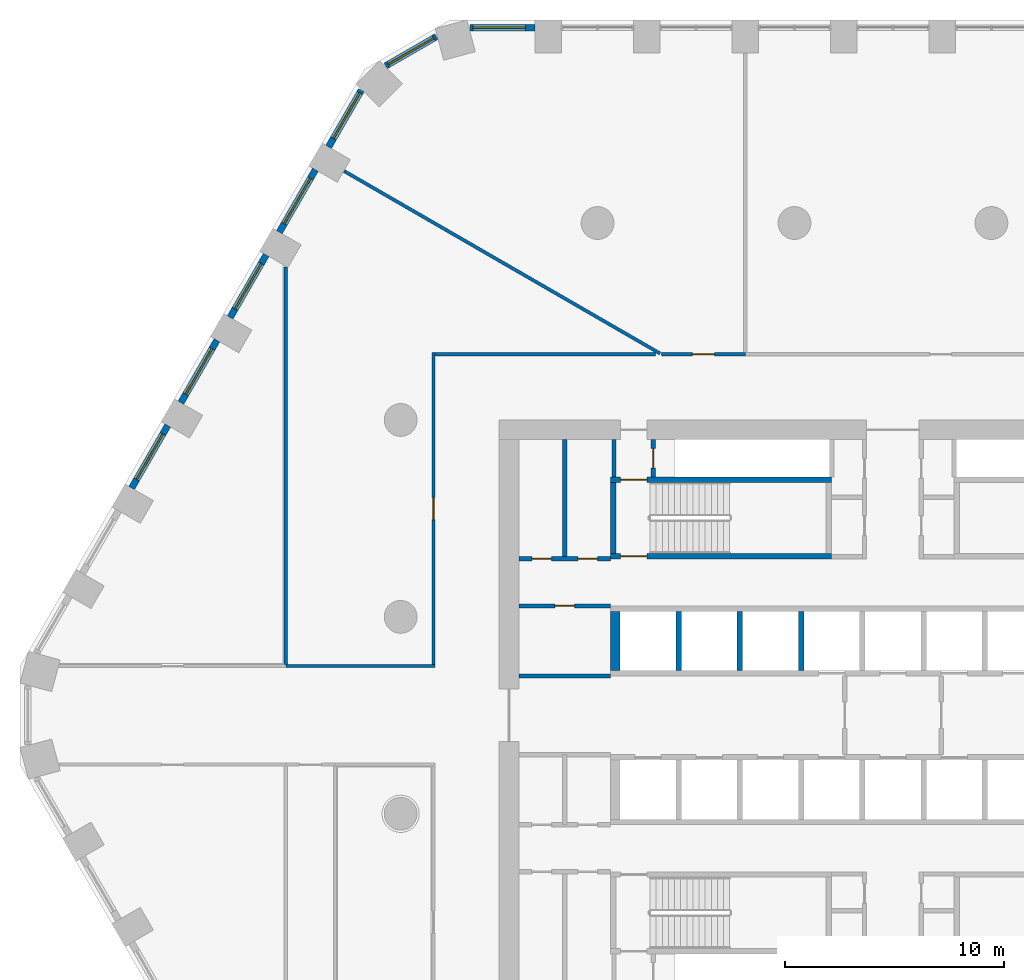
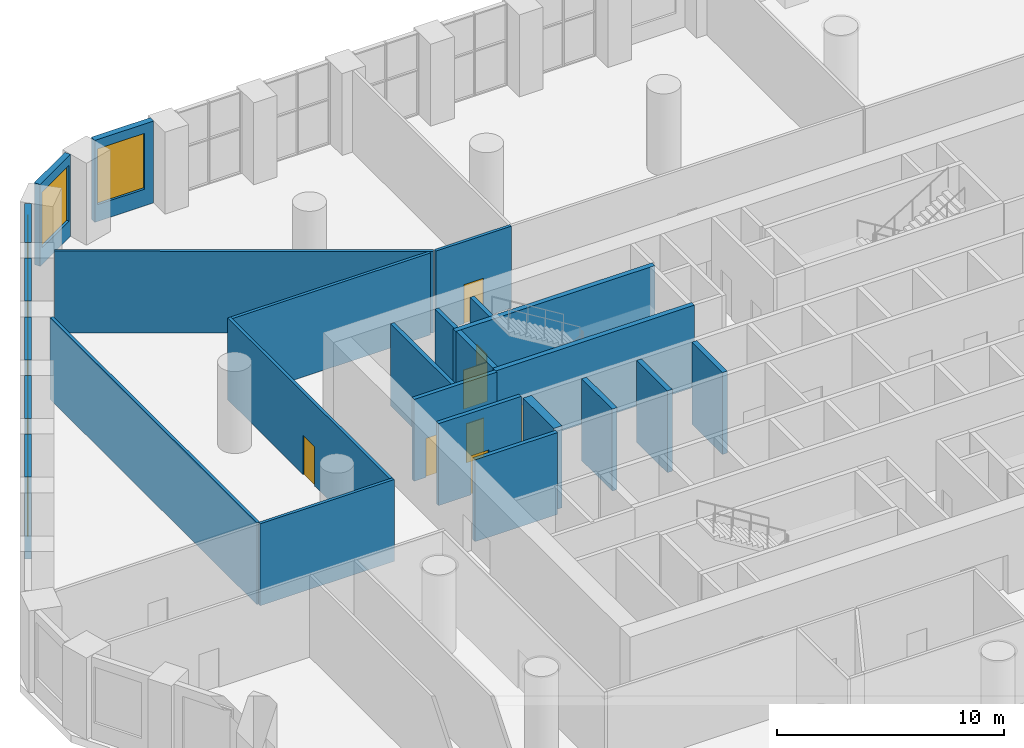
# One storey, part 10 of 21: 26 walls, 8 doors, 7 windows, 15 openings.
"""IFC4 building model written with IfcOpenShell, lengths in metres."""

import ifcopenshell
import ifcopenshell.guid

model = None  # the IFC model being written
_history = None  # IfcOwnerHistory: only IFC2X3 demands one
_inside = {}  # id of a spatial element -> (the spatial element, [elements in it])
_under = {}  # id of a project, library or spatial element -> (it, [spatial elements below it])
_declared = {}  # id of a project -> (the project, [libraries it declares])
_typed = {}  # id of a type object -> (the type object, [elements of that type])
_made_of = {}  # id of a material, layer set ... -> (it, [elements and type objects made of it])


def new_model(schema):
    """Start an empty IFC model of exactly this schema.

    Asked for "IFC4X3", IfcOpenShell would pick the latest addendum, in which some entities
    have other attributes; the version numbers below select the first issue.
    IFC2X3 requires an IfcOwnerHistory on every rooted entity: one is made here for all.
    """
    global model, _history
    if schema == "IFC4X3":
        model = ifcopenshell.file(schema_version=(4, 3, 0, 0))
    else:
        model = ifcopenshell.file(schema=schema)
    _inside.clear()
    _under.clear()
    _declared.clear()
    _typed.clear()
    _made_of.clear()
    _history = None
    if model.schema == "IFC2X3":
        org = make("IfcOrganization", Name="unknown")
        user = make(
            "IfcPersonAndOrganization",
            ThePerson=make("IfcPerson", FamilyName="unknown"),
            TheOrganization=org,
        )
        app = make(
            "IfcApplication",
            ApplicationDeveloper=org,
            Version="unknown",
            ApplicationFullName="unknown",
            ApplicationIdentifier="unknown",
        )
        _history = make(
            "IfcOwnerHistory",
            OwningUser=user,
            OwningApplication=app,
            ChangeAction="ADDED",
            CreationDate=0,
        )
    return model


def make(cls, **values):
    """One entity of the class cls with the attributes given. An attribute that is None is left unset."""
    return model.create_entity(
        cls, **{name: value for name, value in values.items() if value is not None}
    )


def rooted(cls, **values):
    """An entity with a GlobalId (a new one), such as an element, a storey or a relation."""
    return make(cls, GlobalId=ifcopenshell.guid.new(), OwnerHistory=_history, **values)


def si_unit(unit_type, name, prefix=None):
    """IfcSIUnit, for example si_unit("LENGTHUNIT", "METRE", prefix="MILLI")."""
    return make("IfcSIUnit", UnitType=unit_type, Prefix=prefix, Name=name)


def assignment(units):
    """IfcUnitAssignment: the units of a project."""
    return None if units is None else make("IfcUnitAssignment", Units=units)


def point(xyz):
    """IfcCartesianPoint."""
    return None if xyz is None else make("IfcCartesianPoint", Coordinates=xyz)


def direction(xyz):
    """IfcDirection."""
    return None if xyz is None else make("IfcDirection", DirectionRatios=xyz)


def frame(location, z_axis=None, x_axis=None):
    """IfcAxis2Placement3D, a coordinate frame: its origin and axes. An axis left out is left unset."""
    return make(
        "IfcAxis2Placement3D",
        Location=point(location),
        Axis=direction(z_axis),
        RefDirection=direction(x_axis),
    )


def frame_2d(location, x_axis=None):
    """IfcAxis2Placement2D, a coordinate frame in the plane: its origin and x axis."""
    return make(
        "IfcAxis2Placement2D", Location=point(location), RefDirection=direction(x_axis)
    )


def origin():
    """The frame at (0, 0, 0) with its axes left unset."""
    return frame((0.0, 0.0, 0.0))


def place(relative_to, where):
    """IfcLocalPlacement: puts the frame where relative to a parent placement (None: the world)."""
    return make(
        "IfcLocalPlacement", PlacementRelTo=relative_to, RelativePlacement=where
    )


def context(
    kind, dimensions, precision=None, world=None, true_north=None, identifier=None
):
    """IfcGeometricRepresentationContext, for example the 3D "Model" context."""
    return make(
        "IfcGeometricRepresentationContext",
        ContextIdentifier=identifier,
        ContextType=kind,
        CoordinateSpaceDimension=dimensions,
        Precision=precision,
        WorldCoordinateSystem=world,
        TrueNorth=true_north,
    )


def subcontext(parent, identifier, kind, view, scale=None):
    """IfcGeometricRepresentationSubContext, for example "Body" below "Model"."""
    return make(
        "IfcGeometricRepresentationSubContext",
        ContextIdentifier=identifier,
        ContextType=kind,
        ParentContext=parent,
        TargetScale=scale,
        TargetView=view,
    )


def project(units=None, contexts=None):
    """IfcProject with its units and contexts."""
    return rooted(
        "IfcProject",
        Name="project",
        RepresentationContexts=contexts,
        UnitsInContext=assignment(units),
    )


def spatial(cls, under=None, at=None, **own):
    """A site, building, storey or space (cls), placed at a placement, below another one or the project."""
    s = rooted(cls, ObjectPlacement=at, **own)
    if under is not None:
        _under.setdefault(under.id(), (under, []))[1].append(s)
    return s


def polyline(points):
    """IfcPolyline through the points."""
    return make("IfcPolyline", Points=[point(p) for p in points])


def profile(cls, at=None, kind="AREA", **sizes):
    """A parametric profile (cls). Its sizes go by their IFC names, for example OverallWidth=200.0."""
    return make(cls, ProfileType=kind, Position=at, **sizes)


def rectangle(**sizes):
    """IfcRectangleProfileDef."""
    return profile("IfcRectangleProfileDef", **sizes)


def outline(outer, holes=None, kind="AREA"):
    """IfcArbitraryClosedProfileDef: a profile drawn as a closed curve; with holes, ...WithVoids."""
    if holes is None:
        return make("IfcArbitraryClosedProfileDef", ProfileType=kind, OuterCurve=outer)
    return make(
        "IfcArbitraryProfileDefWithVoids",
        ProfileType=kind,
        OuterCurve=outer,
        InnerCurves=holes,
    )


def extrude(swept, where, along, depth):
    """IfcExtrudedAreaSolid: the profile swept, set in the frame where, extruded along a direction by depth."""
    return make(
        "IfcExtrudedAreaSolid",
        SweptArea=swept,
        Position=where,
        ExtrudedDirection=direction(along),
        Depth=depth,
    )


def shape(context_of_items, identifier, shape_type, items):
    """IfcShapeRepresentation: the items that make up one representation, for example the "Body"."""
    return make(
        "IfcShapeRepresentation",
        ContextOfItems=context_of_items,
        RepresentationIdentifier=identifier,
        RepresentationType=shape_type,
        Items=items,
    )


def material(Name=None, Category=None):
    """IfcMaterial."""
    return make("IfcMaterial", Name=Name, Category=Category)


def layer(
    of_material, thickness, ventilated=None, Name=None, Category=None, Priority=None
):
    """IfcMaterialLayer: one layer of a wall or slab, of a material (None: an air gap)."""
    return make(
        "IfcMaterialLayer",
        Material=of_material,
        LayerThickness=thickness,
        IsVentilated=ventilated,
        Name=Name,
        Category=Category,
        Priority=Priority,
    )


def layer_set(layers, Name=None):
    """IfcMaterialLayerSet."""
    return make("IfcMaterialLayerSet", MaterialLayers=layers, LayerSetName=Name)


def made_of(thing, what):
    """Note that an element or type object is made of a material, layer set ...; save() writes the relation."""
    if what is not None:
        _made_of.setdefault(what.id(), (what, []))[1].append(thing)
    return thing


def type_object(cls, material=None, **own):
    """A type object (cls), such as IfcWallType, which elements share."""
    return made_of(rooted(cls, **own), material)


def element(
    cls,
    number,
    at=None,
    inside=None,
    cuts=None,
    type_object=None,
    material=None,
    context=None,
    identifier="Body",
    shape_type=None,
    held_by="IfcProductDefinitionShape",
    body=None,
    shapes=None,
    **own,
):
    """One element of the class cls, such as IfcWall. Its Tag is "e" and its number.

    at: its placement. inside: the storey or other place that contains it. cuts: it is an
    opening in that element (IfcRelVoidsElement). A single representation is given by context,
    identifier, shape_type and body (its items); several are given by shapes. held_by: the class
    of the entity that holds the representations. save() writes the other relations.
    """
    e = rooted(cls, Tag="e%d" % number, ObjectPlacement=at, **own)
    if body is not None:
        shapes = [shape(context, identifier, shape_type, body)]
    if shapes is not None:
        e.Representation = make(held_by, Representations=shapes)
    if inside is not None:
        _inside.setdefault(inside.id(), (inside, []))[1].append(e)
    if cuts is not None:
        rooted(
            "IfcRelVoidsElement", RelatingBuildingElement=cuts, RelatedOpeningElement=e
        )
    if type_object is not None:
        _typed.setdefault(type_object.id(), (type_object, []))[1].append(e)
    return made_of(e, material)


def fill(opening, filler):
    """IfcRelFillsElement: the door or window that sits in an opening."""
    return rooted(
        "IfcRelFillsElement",
        RelatingOpeningElement=opening,
        RelatedBuildingElement=filler,
    )


def aggregate(whole, parts):
    """IfcRelAggregates: a whole, such as a stair, and the parts it consists of."""
    return rooted("IfcRelAggregates", RelatingObject=whole, RelatedObjects=parts)


def save(model, path):
    """Write the relations noted so far, then the file.

    IfcRelAggregates (storeys below a building ...), IfcRelContainedInSpatialStructure (elements
    in a storey), IfcRelDefinesByType, IfcRelAssociatesMaterial and IfcRelDeclares: one each for
    every whole, place, type object, material and project.
    """
    for whole, parts in _under.values():
        aggregate(whole, parts)
    for where, things in _inside.values():
        rooted(
            "IfcRelContainedInSpatialStructure",
            RelatedElements=things,
            RelatingStructure=where,
        )
    for kind, things in _typed.values():
        rooted("IfcRelDefinesByType", RelatedObjects=things, RelatingType=kind)
    for what, things in _made_of.values():
        rooted("IfcRelAssociatesMaterial", RelatedObjects=things, RelatingMaterial=what)
    for by, libraries in _declared.values():
        rooted("IfcRelDeclares", RelatingContext=by, RelatedDefinitions=libraries)
    model.write(path)


model = new_model("IFC4")

# Units and contexts
model_context = context("Model", 3, precision=1e-05, world=origin(), true_north=direction((0.0, 1.0)))
body_context = subcontext(model_context, "Body", "Model", "MODEL_VIEW")
ifc_project = project(units=[si_unit("LENGTHUNIT", "METRE"), si_unit("AREAUNIT", "SQUARE_METRE"), si_unit("VOLUMEUNIT", "CUBIC_METRE"), si_unit("PLANEANGLEUNIT", "RADIAN"), si_unit("MASSUNIT", "GRAM", prefix="KILO")], contexts=[model_context])

# Site, building, storey
site_placement = place(None, origin())
site = spatial("IfcSite", under=ifc_project, at=site_placement, CompositionType="ELEMENT")
building_placement = place(site_placement, origin())
building = spatial("IfcBuilding", under=site, at=building_placement, Name="Dhurran Vertical Campus", CompositionType="ELEMENT")
storey_placement = place(building_placement, frame((0.0, 0.0, 20.39990234375)))
storey = spatial("IfcBuildingStorey", under=building, at=storey_placement, Name="L04", CompositionType="ELEMENT", Elevation=20.39990234375)

# Wall, opening, window
ifc_material_1 = material(Name="Precast concrete C50/60", Category="concrete")
ifc_layer_1 = layer(ifc_material_1, 0.300048828125)
ifc_layer_set_1 = layer_set([ifc_layer_1], Name="Precast concrete C50/60")
wall_type_1 = type_object("IfcWallType", Name="Precast spandrel wall 300", PredefinedType="SOLIDWALL", material=ifc_layer_set_1)
wall_1_placement = place(storey_placement, frame((-16.3505859375, 31.4296875, 0.0), z_axis=(0.0, 0.0, 1.0), x_axis=(-1.0, 0.0, 0.0)))
wall_1 = element("IfcWall", 1, at=wall_1_placement, inside=storey, type_object=wall_type_1, Name="EW1 L04.34", PredefinedType="SOLIDWALL", context=body_context, shape_type="SweptSolid", body=[
    extrude(rectangle(XDim=2.98876953125, YDim=0.300048828125, at=frame_2d((1.494384765625, 0.0))), origin(), (0.0, 0.0, 1.0), 4.400146484375),
])
opening_1_placement = place(wall_1_placement, frame((0.449462890625, 0.0, 0.89990234375)))
opening_1 = element("IfcOpeningElement", 2, at=opening_1_placement, cuts=wall_1, Name="Opening WT2", PredefinedType="OPENING", context=body_context, shape_type="SweptSolid", body=[
    extrude(rectangle(XDim=2.39990234375, YDim=3.0, at=frame_2d((1.199951171875, 1.5))), frame((0.0, 0.159912109375, 0.0), z_axis=(0.0, -1.0, 0.0), x_axis=(1.0, 0.0, 0.0)), (0.0, 0.0, 1.0), 0.320068359375),
])
ifc_material_2 = material(Name="Aluminium frame with solar-control glass", Category="aluminium")
window_type = type_object("IfcWindowType", Name="Podium window 2400 x 3000", PartitioningType="SINGLE_PANEL", PredefinedType="WINDOW", material=ifc_material_2)
window_1_placement = place(opening_1_placement, origin())
window_1 = element("IfcWindow", 3, at=window_1_placement, inside=storey, type_object=window_type, Name="WT2 L04.34", OverallHeight=3.0, OverallWidth=2.39990234375, PartitioningType="SINGLE_PANEL", PredefinedType="WINDOW", context=body_context, shape_type="SweptSolid", body=[
    extrude(rectangle(XDim=2.39990234375, YDim=3.0, at=frame_2d((1.199951171875, 1.5))), frame((0.0, 0.030029296875, 0.0), z_axis=(0.0, -1.0, 0.0), x_axis=(1.0, 0.0, 0.0)), (0.0, 0.0, 1.0), 0.06005859375),
])
fill(opening_1, window_1)

wall_2_placement = place(storey_placement, frame((-20.86376953125, 31.021240234375, 0.0), z_axis=(0.0, 0.0, 1.0), x_axis=(-0.866001915448, -0.500040680786, 0.0)))
wall_2 = element("IfcWall", 4, at=wall_2_placement, inside=storey, type_object=wall_type_1, Name="EW1 L04.35", PredefinedType="SOLIDWALL", context=body_context, shape_type="SweptSolid", body=[
    extrude(rectangle(XDim=2.678466796875, YDim=0.300048828125, at=frame_2d((1.33935546875, 0.0))), origin(), (0.0, 0.0, 1.0), 4.400146484375),
])
opening_2_placement = place(wall_2_placement, frame((0.139404296875, 0.0, 0.89990234375)))
opening_2 = element("IfcOpeningElement", 5, at=opening_2_placement, cuts=wall_2, Name="Opening WT2", PredefinedType="OPENING", context=body_context, shape_type="SweptSolid", body=[
    extrude(rectangle(XDim=2.39990234375, YDim=3.0, at=frame_2d((1.199951171875, 1.5))), frame((0.0, 0.159912109375, 0.0), z_axis=(0.0, -1.0, 0.0), x_axis=(1.0, 0.0, 0.0)), (0.0, 0.0, 1.0), 0.320068359375),
])
window_2_placement = place(opening_2_placement, origin())
window_2 = element("IfcWindow", 6, at=window_2_placement, inside=storey, type_object=window_type, Name="WT2 L04.35", OverallHeight=3.0, OverallWidth=2.39990234375, PartitioningType="SINGLE_PANEL", PredefinedType="WINDOW", context=body_context, shape_type="SweptSolid", body=[
    extrude(rectangle(XDim=2.39990234375, YDim=3.0, at=frame_2d((1.199951171875, 1.5))), frame((0.0, 0.030029296875, 0.0), z_axis=(0.0, -1.0, 0.0), x_axis=(1.0, 0.0, 0.0)), (0.0, 0.0, 1.0), 0.06005859375),
])
fill(opening_2, window_2)

wall_3_placement = place(storey_placement, frame((-24.29931640625, 28.566162109375, 0.0), z_axis=(0.0, 0.0, 1.0), x_axis=(-0.49999586137, -0.866027793211, 0.0)))
wall_3 = element("IfcWall", 7, at=wall_3_placement, inside=storey, type_object=wall_type_1, Name="EW1 L04.36", PredefinedType="SOLIDWALL", context=body_context, shape_type="SweptSolid", body=[
    extrude(rectangle(XDim=2.98876953125, YDim=0.300048828125, at=frame_2d((1.494384765625, 0.0))), origin(), (0.0, 0.0, 1.0), 4.400146484375),
])
opening_3_placement = place(wall_3_placement, frame((0.139404296875, 0.0, 0.89990234375)))
opening_3 = element("IfcOpeningElement", 8, at=opening_3_placement, cuts=wall_3, Name="Opening WT2", PredefinedType="OPENING", context=body_context, shape_type="SweptSolid", body=[
    extrude(rectangle(XDim=2.39990234375, YDim=3.0, at=frame_2d((1.199951171875, 1.5))), frame((0.0, 0.159912109375, 0.0), z_axis=(0.0, -1.0, 0.0), x_axis=(1.0, 0.0, 0.0)), (0.0, 0.0, 1.0), 0.320068359375),
])
window_3_placement = place(opening_3_placement, origin())
window_3 = element("IfcWindow", 9, at=window_3_placement, inside=storey, type_object=window_type, Name="WT2 L04.36", OverallHeight=3.0, OverallWidth=2.39990234375, PartitioningType="SINGLE_PANEL", PredefinedType="WINDOW", context=body_context, shape_type="SweptSolid", body=[
    extrude(rectangle(XDim=2.39990234375, YDim=3.0, at=frame_2d((1.199951171875, 1.5))), frame((0.0, 0.030029296875, 0.0), z_axis=(0.0, -1.0, 0.0), x_axis=(1.0, 0.0, 0.0)), (0.0, 0.0, 1.0), 0.06005859375),
])
fill(opening_3, window_3)

wall_4_placement = place(storey_placement, frame((-26.394287109375, 24.9375, 0.0), z_axis=(0.0, 0.0, 1.0), x_axis=(-0.499991515992, -0.866030301974, 0.0)))
wall_4 = element("IfcWall", 10, at=wall_4_placement, inside=storey, type_object=wall_type_1, Name="EW1 L04.37", PredefinedType="SOLIDWALL", context=body_context, shape_type="SweptSolid", body=[
    extrude(rectangle(XDim=3.298828125, YDim=0.300048828125, at=frame_2d((1.6494140625, 0.0))), origin(), (0.0, 0.0, 1.0), 4.400146484375),
])
opening_4_placement = place(wall_4_placement, frame((0.449462890625, 0.0, 0.89990234375)))
opening_4 = element("IfcOpeningElement", 11, at=opening_4_placement, cuts=wall_4, Name="Opening WT2", PredefinedType="OPENING", context=body_context, shape_type="SweptSolid", body=[
    extrude(rectangle(XDim=2.39990234375, YDim=3.0, at=frame_2d((1.199951171875, 1.5))), frame((0.0, 0.159912109375, 0.0), z_axis=(0.0, -1.0, 0.0), x_axis=(1.0, 0.0, 0.0)), (0.0, 0.0, 1.0), 0.320068359375),
])
window_4_placement = place(opening_4_placement, origin())
window_4 = element("IfcWindow", 12, at=window_4_placement, inside=storey, type_object=window_type, Name="WT2 L04.37", OverallHeight=3.0, OverallWidth=2.39990234375, PartitioningType="SINGLE_PANEL", PredefinedType="WINDOW", context=body_context, shape_type="SweptSolid", body=[
    extrude(rectangle(XDim=2.39990234375, YDim=3.0, at=frame_2d((1.199951171875, 1.5))), frame((0.0, 0.030029296875, 0.0), z_axis=(0.0, -1.0, 0.0), x_axis=(1.0, 0.0, 0.0)), (0.0, 0.0, 1.0), 0.06005859375),
])
fill(opening_4, window_4)

wall_5_placement = place(storey_placement, frame((-28.644287109375, 21.04052734375, 0.0), z_axis=(0.0, 0.0, 1.0), x_axis=(-0.499991515992, -0.866030301974, 0.0)))
wall_5 = element("IfcWall", 13, at=wall_5_placement, inside=storey, type_object=wall_type_1, Name="EW1 L04.38", PredefinedType="SOLIDWALL", context=body_context, shape_type="SweptSolid", body=[
    extrude(rectangle(XDim=3.298828125, YDim=0.300048828125, at=frame_2d((1.6494140625, 0.0))), origin(), (0.0, 0.0, 1.0), 4.400146484375),
])
opening_5_placement = place(wall_5_placement, frame((0.449462890625, 0.0, 0.89990234375)))
opening_5 = element("IfcOpeningElement", 14, at=opening_5_placement, cuts=wall_5, Name="Opening WT2", PredefinedType="OPENING", context=body_context, shape_type="SweptSolid", body=[
    extrude(rectangle(XDim=2.39990234375, YDim=3.0, at=frame_2d((1.199951171875, 1.5))), frame((0.0, 0.159912109375, 0.0), z_axis=(0.0, -1.0, 0.0), x_axis=(1.0, 0.0, 0.0)), (0.0, 0.0, 1.0), 0.320068359375),
])
window_5_placement = place(opening_5_placement, origin())
window_5 = element("IfcWindow", 15, at=window_5_placement, inside=storey, type_object=window_type, Name="WT2 L04.38", OverallHeight=3.0, OverallWidth=2.39990234375, PartitioningType="SINGLE_PANEL", PredefinedType="WINDOW", context=body_context, shape_type="SweptSolid", body=[
    extrude(rectangle(XDim=2.39990234375, YDim=3.0, at=frame_2d((1.199951171875, 1.5))), frame((0.0, 0.030029296875, 0.0), z_axis=(0.0, -1.0, 0.0), x_axis=(1.0, 0.0, 0.0)), (0.0, 0.0, 1.0), 0.06005859375),
])
fill(opening_5, window_5)

wall_6_placement = place(storey_placement, frame((-30.894287109375, 17.143310546875, 0.0), z_axis=(0.0, 0.0, 1.0), x_axis=(-0.499991515992, -0.866030301974, 0.0)))
wall_6 = element("IfcWall", 16, at=wall_6_placement, inside=storey, type_object=wall_type_1, Name="EW1 L04.39", PredefinedType="SOLIDWALL", context=body_context, shape_type="SweptSolid", body=[
    extrude(rectangle(XDim=3.298828125, YDim=0.300048828125, at=frame_2d((1.6494140625, 0.0))), origin(), (0.0, 0.0, 1.0), 4.400146484375),
])
opening_6_placement = place(wall_6_placement, frame((0.449462890625, 0.0, 0.89990234375)))
opening_6 = element("IfcOpeningElement", 17, at=opening_6_placement, cuts=wall_6, Name="Opening WT2", PredefinedType="OPENING", context=body_context, shape_type="SweptSolid", body=[
    extrude(rectangle(XDim=2.39990234375, YDim=3.0, at=frame_2d((1.199951171875, 1.5))), frame((0.0, 0.159912109375, 0.0), z_axis=(0.0, -1.0, 0.0), x_axis=(1.0, 0.0, 0.0)), (0.0, 0.0, 1.0), 0.320068359375),
])
window_6_placement = place(opening_6_placement, origin())
window_6 = element("IfcWindow", 18, at=window_6_placement, inside=storey, type_object=window_type, Name="WT2 L04.39", OverallHeight=3.0, OverallWidth=2.39990234375, PartitioningType="SINGLE_PANEL", PredefinedType="WINDOW", context=body_context, shape_type="SweptSolid", body=[
    extrude(rectangle(XDim=2.39990234375, YDim=3.0, at=frame_2d((1.199951171875, 1.5))), frame((0.0, 0.030029296875, 0.0), z_axis=(0.0, -1.0, 0.0), x_axis=(1.0, 0.0, 0.0)), (0.0, 0.0, 1.0), 0.06005859375),
])
fill(opening_6, window_6)

wall_7_placement = place(storey_placement, frame((-33.144287109375, 13.246337890625, 0.0), z_axis=(0.0, 0.0, 1.0), x_axis=(-0.499991515992, -0.866030301974, 0.0)))
wall_7 = element("IfcWall", 19, at=wall_7_placement, inside=storey, type_object=wall_type_1, Name="EW1 L04.40", PredefinedType="SOLIDWALL", context=body_context, shape_type="SweptSolid", body=[
    extrude(rectangle(XDim=3.298828125, YDim=0.300048828125, at=frame_2d((1.6494140625, 0.0))), origin(), (0.0, 0.0, 1.0), 4.400146484375),
])
opening_7_placement = place(wall_7_placement, frame((0.449462890625, 0.0, 0.89990234375)))
opening_7 = element("IfcOpeningElement", 20, at=opening_7_placement, cuts=wall_7, Name="Opening WT2", PredefinedType="OPENING", context=body_context, shape_type="SweptSolid", body=[
    extrude(rectangle(XDim=2.39990234375, YDim=3.0, at=frame_2d((1.199951171875, 1.5))), frame((0.0, 0.159912109375, 0.0), z_axis=(0.0, -1.0, 0.0), x_axis=(1.0, 0.0, 0.0)), (0.0, 0.0, 1.0), 0.320068359375),
])
window_7_placement = place(opening_7_placement, origin())
window_7 = element("IfcWindow", 21, at=window_7_placement, inside=storey, type_object=window_type, Name="WT2 L04.40", OverallHeight=3.0, OverallWidth=2.39990234375, PartitioningType="SINGLE_PANEL", PredefinedType="WINDOW", context=body_context, shape_type="SweptSolid", body=[
    extrude(rectangle(XDim=2.39990234375, YDim=3.0, at=frame_2d((1.199951171875, 1.5))), frame((0.0, 0.030029296875, 0.0), z_axis=(0.0, -1.0, 0.0), x_axis=(1.0, 0.0, 0.0)), (0.0, 0.0, 1.0), 0.06005859375),
])
fill(opening_7, window_7)

# Wall
ifc_material_3 = material(Name="Fire-rated masonry blockwork", Category="masonry")
ifc_layer_2 = layer(ifc_material_3, 0.199951171875)
ifc_layer_set_2 = layer_set([ifc_layer_2], Name="Fire-rated masonry blockwork")
wall_type_2 = type_object("IfcWallType", Name="co-FIRE-PARTITION-200", PredefinedType="PARTITIONING", material=ifc_layer_set_2)
wall_8_placement = place(storey_placement, frame((-12.75, 10.89990234375, 0.0), z_axis=(0.0, 0.0, 1.0), x_axis=(0.0, 1.0, 0.0)))
element("IfcWall", 22, at=wall_8_placement, inside=storey, type_object=wall_type_2, Name="Core partition pass-ST1-o L04", PredefinedType="PARTITIONING", context=body_context, shape_type="SweptSolid", body=[
    extrude(rectangle(XDim=1.7001953125, YDim=0.199951171875, at=frame_2d((0.85009765625, 0.0))), origin(), (0.0, 0.0, 1.0), 4.400146484375),
])

# Wall, opening, door
wall_9_placement = place(storey_placement, frame((-10.949951171875, 10.89990234375, 0.0), z_axis=(0.0, 0.0, 1.0), x_axis=(0.0, 1.0, 0.0)))
wall_9 = element("IfcWall", 23, at=wall_9_placement, inside=storey, type_object=wall_type_2, Name="Core partition pass-ST1-i L04", PredefinedType="PARTITIONING", context=body_context, shape_type="SweptSolid", body=[
    extrude(rectangle(XDim=1.7001953125, YDim=0.199951171875, at=frame_2d((0.85009765625, 0.0))), origin(), (0.0, 0.0, 1.0), 4.400146484375),
])
opening_8_placement = place(wall_9_placement, frame((0.39990234375, 0.0, 0.0)))
opening_8 = element("IfcOpeningElement", 24, at=opening_8_placement, cuts=wall_9, Name="Opening PD04-C9", PredefinedType="OPENING", context=body_context, shape_type="SweptSolid", body=[
    extrude(rectangle(XDim=0.89990234375, YDim=2.10009765625, at=frame_2d((0.449951171875, 1.050048828125))), frame((0.0, 0.10986328125, 0.0), z_axis=(0.0, -1.0, 0.0), x_axis=(1.0, 0.0, 0.0)), (0.0, 0.0, 1.0), 0.219970703125),
])
ifc_material_4 = material(Name="Fire-rated timber door set", Category="wood")
door_type_1 = type_object("IfcDoorType", Name="co-D-ROOM 900x2100", OperationType="SINGLE_SWING_LEFT", PredefinedType="DOOR", material=ifc_material_4)
door_1_placement = place(opening_8_placement, origin())
door_1 = element("IfcDoor", 25, at=door_1_placement, inside=storey, type_object=door_type_1, Name="Riser room door L04", OperationType="SINGLE_SWING_LEFT", OverallHeight=2.10009765625, OverallWidth=0.89990234375, PredefinedType="DOOR", context=body_context, shape_type="SweptSolid", body=[
    extrude(rectangle(XDim=0.89990234375, YDim=2.10009765625, at=frame_2d((0.449951171875, 1.050048828125))), frame((0.0, 0.02490234375, 0.0), z_axis=(0.0, -1.0, 0.0), x_axis=(1.0, 0.0, 0.0)), (0.0, 0.0, 1.0), 0.050048828125),
])
fill(opening_8, door_1)

# Wall
wall_10_placement = place(storey_placement, frame((-15.0, 7.14990234375, 0.0), z_axis=(0.0, 0.0, 1.0), x_axis=(0.0, 1.0, 0.0)))
element("IfcWall", 26, at=wall_10_placement, inside=storey, type_object=wall_type_2, Name="Core partition en-NW-cut0 L04", PredefinedType="PARTITIONING", context=body_context, shape_type="SweptSolid", body=[
    extrude(rectangle(XDim=5.4501953125, YDim=0.199951171875, at=frame_2d((2.72509765625, 0.0))), origin(), (0.0, 0.0, 1.0), 4.400146484375),
])

# Wall, openings, doors
wall_11_placement = place(storey_placement, frame((-17.10009765625, 7.14990234375, 0.0), z_axis=(0.0, 0.0, 1.0), x_axis=(1.0, 0.0, 0.0)))
wall_11 = element("IfcWall", 27, at=wall_11_placement, inside=storey, type_object=wall_type_2, Name="Core partition en-NW-w L04", PredefinedType="PARTITIONING", context=body_context, shape_type="SweptSolid", body=[
    extrude(rectangle(XDim=4.2001953125, YDim=0.199951171875, at=frame_2d((2.10009765625, 0.0))), origin(), (0.0, 0.0, 1.0), 4.400146484375),
])
opening_9_placement = place(wall_11_placement, frame((0.60009765625, 0.0, 0.0)))
opening_9 = element("IfcOpeningElement", 28, at=opening_9_placement, cuts=wall_11, Name="Opening PD04-C13", PredefinedType="OPENING", context=body_context, shape_type="SweptSolid", body=[
    extrude(rectangle(XDim=0.89990234375, YDim=2.10009765625, at=frame_2d((0.449951171875, 1.050048828125))), frame((0.0, 0.10986328125, 0.0), z_axis=(0.0, -1.0, 0.0), x_axis=(1.0, 0.0, 0.0)), (0.0, 0.0, 1.0), 0.219970703125),
])
opening_10_placement = place(wall_11_placement, frame((2.699951171875, 0.0, 0.0)))
opening_10 = element("IfcOpeningElement", 29, at=opening_10_placement, cuts=wall_11, Name="Opening PD04-C14", PredefinedType="OPENING", context=body_context, shape_type="SweptSolid", body=[
    extrude(rectangle(XDim=0.89990234375, YDim=2.10009765625, at=frame_2d((0.449951171875, 1.050048828125))), frame((0.0, 0.10986328125, 0.0), z_axis=(0.0, -1.0, 0.0), x_axis=(1.0, 0.0, 0.0)), (0.0, 0.0, 1.0), 0.219970703125),
])
door_2_placement = place(opening_9_placement, origin())
door_2 = element("IfcDoor", 30, at=door_2_placement, inside=storey, type_object=door_type_1, Name="Pantry door L04", OperationType="SINGLE_SWING_LEFT", OverallHeight=2.10009765625, OverallWidth=0.89990234375, PredefinedType="DOOR", context=body_context, shape_type="SweptSolid", body=[
    extrude(rectangle(XDim=0.89990234375, YDim=2.10009765625, at=frame_2d((0.449951171875, 1.050048828125))), frame((0.0, 0.02490234375, 0.0), z_axis=(0.0, -1.0, 0.0), x_axis=(1.0, 0.0, 0.0)), (0.0, 0.0, 1.0), 0.050048828125),
])
fill(opening_9, door_2)
door_3_placement = place(opening_10_placement, origin())
door_3 = element("IfcDoor", 31, at=door_3_placement, inside=storey, type_object=door_type_1, Name="Store door L04", OperationType="SINGLE_SWING_LEFT", OverallHeight=2.10009765625, OverallWidth=0.89990234375, PredefinedType="DOOR", context=body_context, shape_type="SweptSolid", body=[
    extrude(rectangle(XDim=0.89990234375, YDim=2.10009765625, at=frame_2d((0.449951171875, 1.050048828125))), frame((0.0, 0.02490234375, 0.0), z_axis=(0.0, -1.0, 0.0), x_axis=(1.0, 0.0, 0.0)), (0.0, 0.0, 1.0), 0.050048828125),
])
fill(opening_10, door_3)

# Wall, opening, door
wall_12_placement = place(storey_placement, frame((-17.10009765625, 5.0, 0.0), z_axis=(0.0, 0.0, 1.0), x_axis=(1.0, 0.0, 0.0)))
wall_12 = element("IfcWall", 32, at=wall_12_placement, inside=storey, type_object=wall_type_2, Name="Core partition es-NW-w L04", PredefinedType="PARTITIONING", context=body_context, shape_type="SweptSolid", body=[
    extrude(rectangle(XDim=4.2001953125, YDim=0.199951171875, at=frame_2d((2.10009765625, 0.0))), origin(), (0.0, 0.0, 1.0), 4.400146484375),
])
opening_11_placement = place(wall_12_placement, frame((1.64990234375, 0.0, 0.0)))
opening_11 = element("IfcOpeningElement", 33, at=opening_11_placement, cuts=wall_12, Name="Opening PD04-C15", PredefinedType="OPENING", context=body_context, shape_type="SweptSolid", body=[
    extrude(rectangle(XDim=0.89990234375, YDim=2.10009765625, at=frame_2d((0.449951171875, 1.050048828125))), frame((0.0, 0.10986328125, 0.0), z_axis=(0.0, -1.0, 0.0), x_axis=(1.0, 0.0, 0.0)), (0.0, 0.0, 1.0), 0.219970703125),
])
door_4_placement = place(opening_11_placement, origin())
door_4 = element("IfcDoor", 34, at=door_4_placement, inside=storey, type_object=door_type_1, Name="Plant room door L04", OperationType="SINGLE_SWING_LEFT", OverallHeight=2.10009765625, OverallWidth=0.89990234375, PredefinedType="DOOR", context=body_context, shape_type="SweptSolid", body=[
    extrude(rectangle(XDim=0.89990234375, YDim=2.10009765625, at=frame_2d((0.449951171875, 1.050048828125))), frame((0.0, 0.02490234375, 0.0), z_axis=(0.0, -1.0, 0.0), x_axis=(1.0, 0.0, 0.0)), (0.0, 0.0, 1.0), 0.050048828125),
])
fill(opening_11, door_4)

# Walls
wall_13_placement = place(storey_placement, frame((-17.10009765625, 1.800048828125, 0.0), z_axis=(0.0, 0.0, 1.0), x_axis=(1.0, 0.0, 0.0)))
element("IfcWall", 35, at=wall_13_placement, inside=storey, type_object=wall_type_2, Name="Core partition es-NW-l L04", PredefinedType="PARTITIONING", context=body_context, shape_type="SweptSolid", body=[
    extrude(rectangle(XDim=4.2001953125, YDim=0.199951171875, at=frame_2d((2.10009765625, 0.0))), origin(), (0.0, 0.0, 1.0), 4.400146484375),
])
ifc_material_5 = material(Name="Concrete C50/60", Category="concrete")
ifc_layer_3 = layer(ifc_material_5, 0.25)
ifc_layer_set_3 = layer_set([ifc_layer_3], Name="Concrete C50/60")
wall_type_3 = type_object("IfcWallType", Name="co-SHAFT-MASS-250", PredefinedType="SHEAR", material=ifc_layer_set_3)
wall_14_placement = place(storey_placement, origin())
element("IfcWall", 36, at=wall_14_placement, inside=storey, type_object=wall_type_3, Name="Lift shaft wall N L04 2", PredefinedType="SHEAR", context=body_context, shape_type="SweptSolid", body=[
    extrude(outline(polyline([(-12.89990234375, 2.050048828125), (-12.47509765625, 2.050048828125), (-12.47509765625, 4.75), (-12.89990234375, 4.75), (-12.89990234375, 2.050048828125)])), origin(), (0.0, 0.0, 1.0), 4.400146484375),
])
wall_15_placement = place(storey_placement, origin())
element("IfcWall", 37, at=wall_15_placement, inside=storey, type_object=wall_type_3, Name="Lift shaft wall N L04 3", PredefinedType="SHEAR", context=body_context, shape_type="SweptSolid", body=[
    extrude(outline(polyline([(-9.925048828125, 2.050048828125), (-9.675048828125, 2.050048828125), (-9.675048828125, 4.75), (-9.925048828125, 4.75), (-9.925048828125, 2.050048828125)])), origin(), (0.0, 0.0, 1.0), 4.400146484375),
])
wall_16_placement = place(storey_placement, origin())
element("IfcWall", 38, at=wall_16_placement, inside=storey, type_object=wall_type_3, Name="Lift shaft wall N L04 4", PredefinedType="SHEAR", context=body_context, shape_type="SweptSolid", body=[
    extrude(outline(polyline([(-7.125, 2.050048828125), (-6.875, 2.050048828125), (-6.875, 4.75), (-7.125, 4.75), (-7.125, 2.050048828125)])), origin(), (0.0, 0.0, 1.0), 4.400146484375),
])
wall_17_placement = place(storey_placement, origin())
element("IfcWall", 39, at=wall_17_placement, inside=storey, type_object=wall_type_3, Name="Lift shaft wall N L04 5", PredefinedType="SHEAR", context=body_context, shape_type="SweptSolid", body=[
    extrude(outline(polyline([(-4.324951171875, 2.050048828125), (-4.074951171875, 2.050048828125), (-4.074951171875, 4.75), (-4.324951171875, 4.75), (-4.324951171875, 2.050048828125)])), origin(), (0.0, 0.0, 1.0), 4.400146484375),
])

# Wall, opening, door
ifc_material_6 = material(Name="Concrete C40/50", Category="concrete")
ifc_layer_4 = layer(ifc_material_6, 0.25)
ifc_layer_set_4 = layer_set([ifc_layer_4], Name="Concrete C40/50")
wall_type_4 = type_object("IfcWallType", Name="co-STAIR-WALL-250", PredefinedType="SHEAR", material=ifc_layer_set_4)
wall_18_placement = place(storey_placement, frame((-12.89990234375, 7.27490234375, 0.0), z_axis=(0.0, 0.0, 1.0), x_axis=(1.0, 0.0, 0.0)))
wall_18 = element("IfcWall", 40, at=wall_18_placement, inside=storey, type_object=wall_type_4, Name="Stair ST1 enclosure wall L04", PredefinedType="SHEAR", context=body_context, shape_type="SweptSolid", body=[
    extrude(rectangle(XDim=10.099853515625, YDim=0.25, at=frame_2d((5.0498046875, 0.0))), origin(), (0.0, 0.0, 1.0), 4.400146484375),
])
opening_12_placement = place(wall_18_placement, frame((0.449951171875, 0.0, 0.0)))
opening_12 = element("IfcOpeningElement", 41, at=opening_12_placement, cuts=wall_18, Name="Opening SD1", PredefinedType="OPENING", context=body_context, shape_type="SweptSolid", body=[
    extrude(rectangle(XDim=1.199951171875, YDim=2.10009765625, at=frame_2d((0.60009765625, 1.050048828125))), frame((0.0, 0.135009765625, 0.0), z_axis=(0.0, -1.0, 0.0), x_axis=(1.0, 0.0, 0.0)), (0.0, 0.0, 1.0), 0.27001953125),
])
ifc_material_7 = material(Name="Fire-rated steel door set", Category="steel")
door_type_2 = type_object("IfcDoorType", Name="co-D-STAIR 1200x2100", OperationType="SINGLE_SWING_LEFT", PredefinedType="DOOR", material=ifc_material_7)
door_5_placement = place(opening_12_placement, origin())
door_5 = element("IfcDoor", 42, at=door_5_placement, inside=storey, type_object=door_type_2, Name="Stair ST1 door L04", OperationType="SINGLE_SWING_LEFT", OverallHeight=2.10009765625, OverallWidth=1.199951171875, PredefinedType="DOOR", context=body_context, shape_type="SweptSolid", body=[
    extrude(rectangle(XDim=1.199951171875, YDim=2.10009765625, at=frame_2d((0.60009765625, 1.050048828125))), frame((0.0, 0.02490234375, 0.0), z_axis=(0.0, -1.0, 0.0), x_axis=(1.0, 0.0, 0.0)), (0.0, 0.0, 1.0), 0.050048828125),
])
fill(opening_12, door_5)

wall_19_placement = place(storey_placement, frame((-12.89990234375, 10.77490234375, 0.0), z_axis=(0.0, 0.0, 1.0), x_axis=(1.0, 0.0, 0.0)))
wall_19 = element("IfcWall", 43, at=wall_19_placement, inside=storey, type_object=wall_type_4, Name="Stair ST1 enclosure wall L04", PredefinedType="SHEAR", context=body_context, shape_type="SweptSolid", body=[
    extrude(rectangle(XDim=10.099853515625, YDim=0.25, at=frame_2d((5.0498046875, 0.0))), origin(), (0.0, 0.0, 1.0), 4.400146484375),
])
opening_13_placement = place(wall_19_placement, frame((0.449951171875, 0.0, 0.0)))
opening_13 = element("IfcOpeningElement", 44, at=opening_13_placement, cuts=wall_19, Name="Opening XS1", PredefinedType="OPENING", context=body_context, shape_type="SweptSolid", body=[
    extrude(rectangle(XDim=1.199951171875, YDim=2.10009765625, at=frame_2d((0.60009765625, 1.050048828125))), frame((0.0, 0.135009765625, 0.0), z_axis=(0.0, -1.0, 0.0), x_axis=(1.0, 0.0, 0.0)), (0.0, 0.0, 1.0), 0.27001953125),
])
ifc_material_8 = material(Name="Fire-rated steel door set", Category="steel")
door_type_3 = type_object("IfcDoorType", Name="co-D-STAIR-EXIT 1200x2100", OperationType="SINGLE_SWING_RIGHT", PredefinedType="DOOR", material=ifc_material_8)
door_6_placement = place(opening_13_placement, origin())
door_6 = element("IfcDoor", 45, at=door_6_placement, inside=storey, type_object=door_type_3, Name="Stair ST1 discharge door L04", OperationType="SINGLE_SWING_RIGHT", OverallHeight=2.10009765625, OverallWidth=1.199951171875, PredefinedType="DOOR", context=body_context, shape_type="SweptSolid", body=[
    extrude(rectangle(XDim=1.199951171875, YDim=2.10009765625, at=frame_2d((0.60009765625, 1.050048828125))), frame((0.0, 0.02490234375, 0.0), z_axis=(0.0, -1.0, 0.0), x_axis=(1.0, 0.0, 0.0)), (0.0, 0.0, 1.0), 0.050048828125),
])
fill(opening_13, door_6)

# Walls
wall_20_placement = place(storey_placement, frame((-12.77490234375, 7.39990234375, 0.0), z_axis=(0.0, 0.0, 1.0), x_axis=(0.0, 1.0, 0.0)))
element("IfcWall", 46, at=wall_20_placement, inside=storey, type_object=wall_type_4, Name="Stair ST1 enclosure wall L04", PredefinedType="SHEAR", context=body_context, shape_type="SweptSolid", body=[
    extrude(rectangle(XDim=3.25, YDim=0.25, at=frame_2d((1.625, 0.0))), origin(), (0.0, 0.0, 1.0), 4.400146484375),
])
ifc_material_9 = material(Name="Gypsum board corridor wall on steel studs", Category="steel")
ifc_layer_5 = layer(ifc_material_9, 0.14990234375)
ifc_layer_set_5 = layer_set([ifc_layer_5], Name="Gypsum board corridor wall on steel studs")
wall_type_5 = type_object("IfcWallType", Name="fl-CW-150 corridor wall", PredefinedType="PARTITIONING", material=ifc_layer_set_5)
wall_21_placement = place(storey_placement, frame((-27.75, 2.25, 0.0), z_axis=(0.0, 0.0, 1.0), x_axis=(1.0, 0.0, 0.0)))
element("IfcWall", 47, at=wall_21_placement, inside=storey, type_object=wall_type_5, Name="Partition 04-06", PredefinedType="PARTITIONING", context=body_context, shape_type="SweptSolid", body=[
    extrude(rectangle(XDim=6.824951171875, YDim=0.14990234375, at=frame_2d((3.41259765625, 0.0))), origin(), (0.0, 0.0, 1.0), 4.400146484375),
])

# Wall, opening, door
wall_22_placement = place(storey_placement, frame((-21.0, 16.574951171875, 0.0), z_axis=(0.0, 0.0, 1.0), x_axis=(0.0, -1.0, 0.0)))
wall_22 = element("IfcWall", 48, at=wall_22_placement, inside=storey, type_object=wall_type_5, Name="Partition 04-12", PredefinedType="PARTITIONING", context=body_context, shape_type="SweptSolid", body=[
    extrude(rectangle(XDim=14.25, YDim=0.14990234375, at=frame_2d((7.125, 0.0))), origin(), (0.0, 0.0, 1.0), 4.400146484375),
])
opening_14_placement = place(wall_22_placement, frame((6.625, 0.0, 0.0)))
opening_14 = element("IfcOpeningElement", 49, at=opening_14_placement, cuts=wall_22, Name="Opening PD04.04", PredefinedType="OPENING", context=body_context, shape_type="SweptSolid", body=[
    extrude(rectangle(XDim=1.0, YDim=2.10009765625, at=frame_2d((0.5, 1.050048828125))), frame((0.0, 0.0849609375, 0.0), z_axis=(0.0, -1.0, 0.0), x_axis=(1.0, 0.0, 0.0)), (0.0, 0.0, 1.0), 0.169921875),
])
ifc_material_10 = material(Name="Solid-core timber door set, fire-rated", Category="wood")
door_type_4 = type_object("IfcDoorType", Name="fl-D-1000x2100", OperationType="SINGLE_SWING_LEFT", PredefinedType="DOOR", material=ifc_material_10)
door_7_placement = place(opening_14_placement, origin())
door_7 = element("IfcDoor", 50, at=door_7_placement, inside=storey, type_object=door_type_4, Name="Door 04.04", OperationType="SINGLE_SWING_LEFT", OverallHeight=2.10009765625, OverallWidth=1.0, PredefinedType="DOOR", context=body_context, shape_type="SweptSolid", body=[
    extrude(rectangle(XDim=1.0, YDim=2.10009765625, at=frame_2d((0.5, 1.050048828125))), frame((0.0, 0.02490234375, 0.0), z_axis=(0.0, -1.0, 0.0), x_axis=(1.0, 0.0, 0.0)), (0.0, 0.0, 1.0), 0.050048828125),
])
fill(opening_14, door_7)

# Wall
wall_23_placement = place(storey_placement, frame((-10.85400390625, 16.5, 0.0), z_axis=(0.0, 0.0, 1.0), x_axis=(-1.0, 0.0, 0.0)))
element("IfcWall", 51, at=wall_23_placement, inside=storey, type_object=wall_type_5, Name="Partition 04-13", PredefinedType="PARTITIONING", context=body_context, shape_type="SweptSolid", body=[
    extrude(rectangle(XDim=10.071044921875, YDim=0.14990234375, at=frame_2d((5.03564453125, 0.0))), origin(), (0.0, 0.0, 1.0), 4.400146484375),
])

# Wall, opening, door
wall_24_placement = place(storey_placement, frame((-6.75, 16.5, 0.0), z_axis=(0.0, 0.0, 1.0), x_axis=(-1.0, 0.0, 0.0)))
wall_24 = element("IfcWall", 52, at=wall_24_placement, inside=storey, type_object=wall_type_5, Name="Partition 04-17", PredefinedType="PARTITIONING", context=body_context, shape_type="SweptSolid", body=[
    extrude(rectangle(XDim=3.8291015625, YDim=0.14990234375, at=frame_2d((1.91455078125, 0.0))), origin(), (0.0, 0.0, 1.0), 4.400146484375),
])
opening_15_placement = place(wall_24_placement, frame((1.41455078125, 0.0, 0.0)))
opening_15 = element("IfcOpeningElement", 53, at=opening_15_placement, cuts=wall_24, Name="Opening PD04.06", PredefinedType="OPENING", context=body_context, shape_type="SweptSolid", body=[
    extrude(rectangle(XDim=1.0, YDim=2.10009765625, at=frame_2d((0.5, 1.050048828125))), frame((0.0, 0.0849609375, 0.0), z_axis=(0.0, -1.0, 0.0), x_axis=(1.0, 0.0, 0.0)), (0.0, 0.0, 1.0), 0.169921875),
])
door_8_placement = place(opening_15_placement, origin())
door_8 = element("IfcDoor", 54, at=door_8_placement, inside=storey, type_object=door_type_4, Name="Door 04.06", OperationType="SINGLE_SWING_LEFT", OverallHeight=2.10009765625, OverallWidth=1.0, PredefinedType="DOOR", context=body_context, shape_type="SweptSolid", body=[
    extrude(rectangle(XDim=1.0, YDim=2.10009765625, at=frame_2d((0.5, 1.050048828125))), frame((0.0, 0.02490234375, 0.0), z_axis=(0.0, -1.0, 0.0), x_axis=(1.0, 0.0, 0.0)), (0.0, 0.0, 1.0), 0.050048828125),
])
fill(opening_15, door_8)

# Walls
ifc_material_11 = material(Name="Gypsum board partition on steel studs", Category="steel")
ifc_layer_6 = layer(ifc_material_11, 0.14990234375)
ifc_layer_set_6 = layer_set([ifc_layer_6], Name="Gypsum board partition on steel studs")
wall_type_6 = type_object("IfcWallType", Name="fl-PW-150 fixed partition", PredefinedType="PARTITIONING", material=ifc_layer_set_6)
wall_25_placement = place(storey_placement, frame((-27.75, 20.501708984375, 0.0), z_axis=(0.0, 0.0, 1.0), x_axis=(0.0, -1.0, 0.0)))
element("IfcWall", 55, at=wall_25_placement, inside=storey, type_object=wall_type_6, Name="Partition 04-05", PredefinedType="PARTITIONING", context=body_context, shape_type="SweptSolid", body=[
    extrude(rectangle(XDim=18.1767578125, YDim=0.14990234375, at=frame_2d((9.08837890625, 0.0))), origin(), (0.0, 0.0, 1.0), 4.400146484375),
])
wall_26_placement = place(storey_placement, frame((-25.08056640625, 24.873046875, 0.0), z_axis=(0.0, 0.0, 1.0), x_axis=(0.866011934562, -0.500023328652, 0.0)))
element("IfcWall", 56, at=wall_26_placement, inside=storey, type_object=wall_type_6, Name="Partition 04-07", PredefinedType="PARTITIONING", context=body_context, shape_type="SweptSolid", body=[
    extrude(rectangle(XDim=16.670166015625, YDim=0.14990234375, at=frame_2d((8.3349609375, 0.0))), origin(), (0.0, 0.0, 1.0), 4.400146484375),
])

save(model, "model.ifc")
